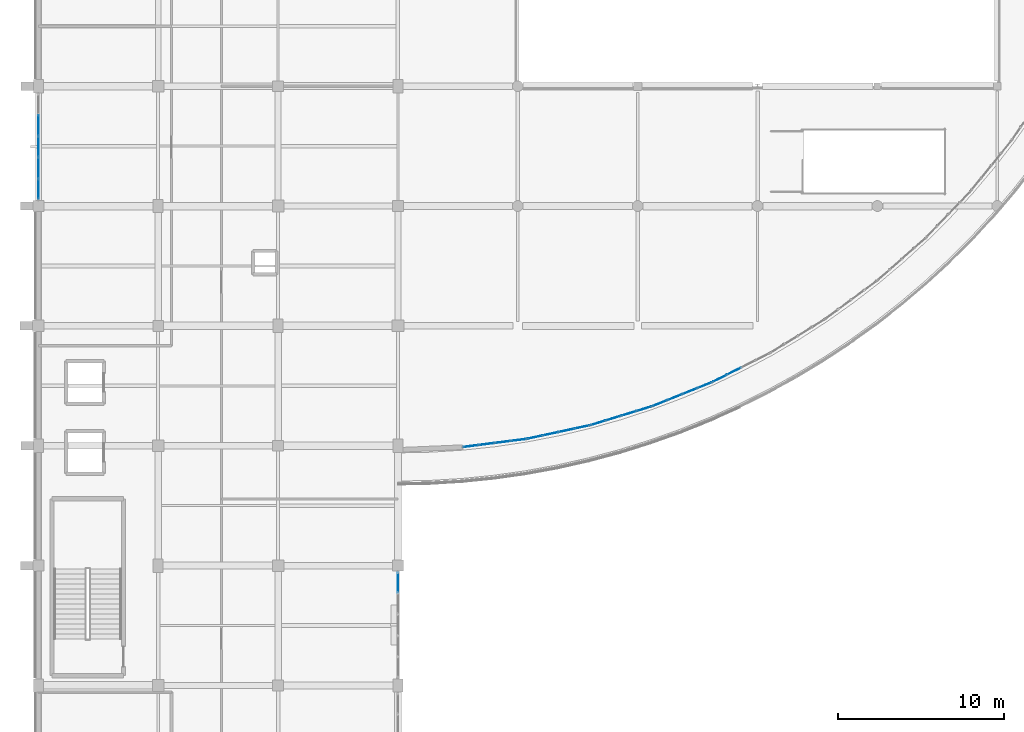
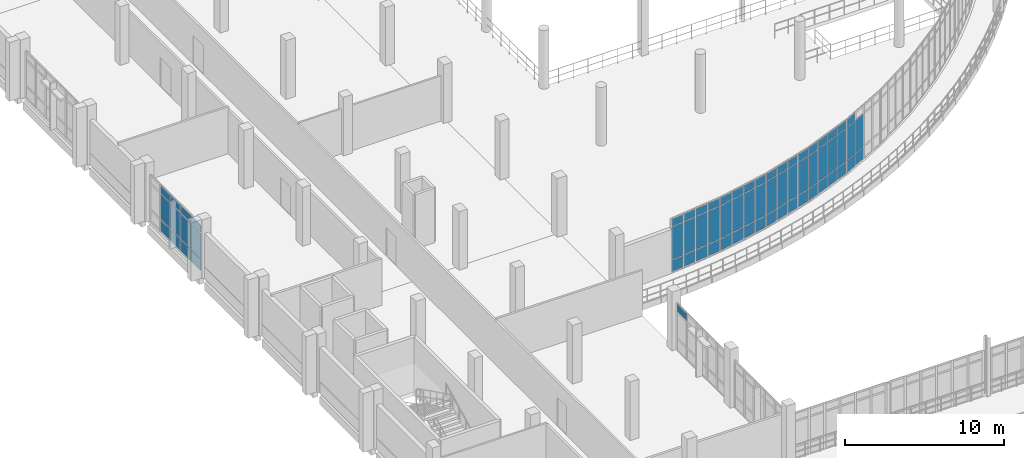
# One storey, part 88 of 116: 66 plates, 7 elements without a shape of their own.
"""IFC4 building model written with IfcOpenShell, lengths in metres."""

from ifc_helpers import new_model, si_unit, direction, frame, origin, origin_2d, place, context, subcontext, project, spatial, rectangle, extrude, material, layer, layer_set, type_object, element, aggregate, save


model = new_model("IFC4")

# Units and contexts
model_context = context("Model", 3, precision=1e-05, world=origin(), true_north=direction((0.0, 1.0)))
body_context = subcontext(model_context, "Body", "Model", "MODEL_VIEW")
ifc_project = project(units=[si_unit("LENGTHUNIT", "METRE"), si_unit("AREAUNIT", "SQUARE_METRE"), si_unit("VOLUMEUNIT", "CUBIC_METRE"), si_unit("PLANEANGLEUNIT", "RADIAN"), si_unit("MASSUNIT", "GRAM", prefix="KILO")], contexts=[model_context])

# Site, building, storey
site_placement = place(None, origin())
site = spatial("IfcSite", under=ifc_project, at=site_placement, CompositionType="ELEMENT")
building_placement = place(site_placement, origin())
building = spatial("IfcBuilding", under=site, at=building_placement, Name="Kalluvel Institute of Natural Sciences", CompositionType="ELEMENT")
storey_placement = place(building_placement, frame((0.0, 0.0, 14.39990234375)))
storey = spatial("IfcBuildingStorey", under=building, at=storey_placement, Name="L03", CompositionType="ELEMENT", Elevation=14.39990234375)

# Curtain wall, plates
ifc_material_1 = material(Name="Aluminium AW-6063 T6", Category="aluminium")
curtain_wall_type_1 = type_object("IfcCurtainWallType", Name="CW-DRY-45", PredefinedType="USERDEFINED", material=ifc_material_1)
curtain_wall_1_placement = place(storey_placement, origin())
curtain_wall_1 = element("IfcCurtainWall", 1, at=curtain_wall_1_placement, inside=storey, type_object=curtain_wall_type_1, Name="L03 Gothic lancet curtain wall CWA-L03-X140-Y720", ObjectType="UNITISED LANCET FACADE", PredefinedType="USERDEFINED")
ifc_material_2 = material(Name="Solar-Control Low-E Laminated Glass", Category="glass")
ifc_layer_1 = layer(ifc_material_2, 0.031982421875)
ifc_layer_set_1 = layer_set([ifc_layer_1], Name="Solar-Control Low-E Laminated Glass")
plate_type_1 = type_object("IfcPlateType", Name="CWP-DGU-32", PredefinedType="CURTAIN_PANEL", material=ifc_layer_set_1)
plate_1_placement = place(storey_placement, frame((14.0, 72.628662109375, 0.065185546875), z_axis=(0.0, 0.0, 1.0), x_axis=(0.0, 1.0, 0.0)))
plate_1 = element("IfcPlate", 2, at=plate_1_placement, type_object=plate_type_1, Name="CW-03 panel 1.1", PredefinedType="CURTAIN_PANEL", context=body_context, shape_type="SweptSolid", body=[
    extrude(rectangle(XDim=1.177490234375, YDim=0.031982421875, at=origin_2d()), origin(), (0.0, 0.0, 1.0), 0.8525390625),
])
plate_2_placement = place(storey_placement, frame((14.0, 72.628662109375, 0.982666015625), z_axis=(0.0, 0.0, 1.0), x_axis=(0.0, 1.0, 0.0)))
plate_2 = element("IfcPlate", 3, at=plate_2_placement, type_object=plate_type_1, Name="CW-03 panel 1.2", PredefinedType="CURTAIN_PANEL", context=body_context, shape_type="SweptSolid", body=[
    extrude(rectangle(XDim=1.177490234375, YDim=0.031982421875, at=origin_2d()), origin(), (0.0, 0.0, 1.0), 1.955078125),
])
plate_3_placement = place(storey_placement, frame((14.0, 72.628662109375, 3.00244140625), z_axis=(0.0, 0.0, 1.0), x_axis=(0.0, 1.0, 0.0)))
plate_3 = element("IfcPlate", 4, at=plate_3_placement, type_object=plate_type_1, Name="CW-03 panel 1.3", PredefinedType="CURTAIN_PANEL", context=body_context, shape_type="SweptSolid", body=[
    extrude(rectangle(XDim=1.177490234375, YDim=0.031982421875, at=origin_2d()), origin(), (0.0, 0.0, 1.0), 0.552490234375),
])
plate_4_placement = place(storey_placement, frame((14.0, 73.887451171875, 0.065185546875), z_axis=(0.0, 0.0, 1.0), x_axis=(0.0, 1.0, 0.0)))
plate_4 = element("IfcPlate", 5, at=plate_4_placement, type_object=plate_type_1, Name="CW-03 panel 2.1", PredefinedType="CURTAIN_PANEL", context=body_context, shape_type="SweptSolid", body=[
    extrude(rectangle(XDim=1.2099609375, YDim=0.031982421875, at=origin_2d()), origin(), (0.0, 0.0, 1.0), 0.8525390625),
])
plate_5_placement = place(storey_placement, frame((14.0, 73.887451171875, 0.982666015625), z_axis=(0.0, 0.0, 1.0), x_axis=(0.0, 1.0, 0.0)))
plate_5 = element("IfcPlate", 6, at=plate_5_placement, type_object=plate_type_1, Name="CW-03 panel 2.2", PredefinedType="CURTAIN_PANEL", context=body_context, shape_type="SweptSolid", body=[
    extrude(rectangle(XDim=1.2099609375, YDim=0.031982421875, at=origin_2d()), origin(), (0.0, 0.0, 1.0), 1.955078125),
])
plate_6_placement = place(storey_placement, frame((14.0, 73.887451171875, 3.00244140625), z_axis=(0.0, 0.0, 1.0), x_axis=(0.0, 1.0, 0.0)))
plate_6 = element("IfcPlate", 7, at=plate_6_placement, type_object=plate_type_1, Name="CW-03 panel 2.3", PredefinedType="CURTAIN_PANEL", context=body_context, shape_type="SweptSolid", body=[
    extrude(rectangle(XDim=1.2099609375, YDim=0.031982421875, at=origin_2d()), origin(), (0.0, 0.0, 1.0), 0.552490234375),
])
plate_7_placement = place(storey_placement, frame((14.0, 75.16259765625, 0.065185546875), z_axis=(0.0, 0.0, 1.0), x_axis=(0.0, 1.0, 0.0)))
plate_7 = element("IfcPlate", 8, at=plate_7_placement, type_object=plate_type_1, Name="CW-03 panel 3.1", PredefinedType="CURTAIN_PANEL", context=body_context, shape_type="SweptSolid", body=[
    extrude(rectangle(XDim=1.2099609375, YDim=0.031982421875, at=origin_2d()), origin(), (0.0, 0.0, 1.0), 0.8525390625),
])
plate_8_placement = place(storey_placement, frame((14.0, 75.16259765625, 0.982666015625), z_axis=(0.0, 0.0, 1.0), x_axis=(0.0, 1.0, 0.0)))
plate_8 = element("IfcPlate", 9, at=plate_8_placement, type_object=plate_type_1, Name="CW-03 panel 3.2", PredefinedType="CURTAIN_PANEL", context=body_context, shape_type="SweptSolid", body=[
    extrude(rectangle(XDim=1.2099609375, YDim=0.031982421875, at=origin_2d()), origin(), (0.0, 0.0, 1.0), 1.955078125),
])
plate_9_placement = place(storey_placement, frame((14.0, 75.16259765625, 3.00244140625), z_axis=(0.0, 0.0, 1.0), x_axis=(0.0, 1.0, 0.0)))
plate_9 = element("IfcPlate", 10, at=plate_9_placement, type_object=plate_type_1, Name="CW-03 panel 3.3", PredefinedType="CURTAIN_PANEL", context=body_context, shape_type="SweptSolid", body=[
    extrude(rectangle(XDim=1.2099609375, YDim=0.031982421875, at=origin_2d()), origin(), (0.0, 0.0, 1.0), 0.552490234375),
])
plate_10_placement = place(storey_placement, frame((14.0, 76.4375, 0.065185546875), z_axis=(0.0, 0.0, 1.0), x_axis=(0.0, 1.0, 0.0)))
plate_10 = element("IfcPlate", 11, at=plate_10_placement, type_object=plate_type_1, Name="CW-03 panel 4.1", PredefinedType="CURTAIN_PANEL", context=body_context, shape_type="SweptSolid", body=[
    extrude(rectangle(XDim=1.2099609375, YDim=0.031982421875, at=origin_2d()), origin(), (0.0, 0.0, 1.0), 0.8525390625),
])
plate_11_placement = place(storey_placement, frame((14.0, 76.4375, 0.982666015625), z_axis=(0.0, 0.0, 1.0), x_axis=(0.0, 1.0, 0.0)))
plate_11 = element("IfcPlate", 12, at=plate_11_placement, type_object=plate_type_1, Name="CW-03 panel 4.2", PredefinedType="CURTAIN_PANEL", context=body_context, shape_type="SweptSolid", body=[
    extrude(rectangle(XDim=1.2099609375, YDim=0.031982421875, at=origin_2d()), origin(), (0.0, 0.0, 1.0), 1.955078125),
])
plate_12_placement = place(storey_placement, frame((14.0, 76.4375, 3.00244140625), z_axis=(0.0, 0.0, 1.0), x_axis=(0.0, 1.0, 0.0)))
plate_12 = element("IfcPlate", 13, at=plate_12_placement, type_object=plate_type_1, Name="CW-03 panel 4.3", PredefinedType="CURTAIN_PANEL", context=body_context, shape_type="SweptSolid", body=[
    extrude(rectangle(XDim=1.2099609375, YDim=0.031982421875, at=origin_2d()), origin(), (0.0, 0.0, 1.0), 0.552490234375),
])
aggregate(curtain_wall_1, [plate_1, plate_2, plate_3, plate_4, plate_5, plate_6, plate_7, plate_8, plate_9, plate_10, plate_11, plate_12])

# Curtain wall, plate
curtain_wall_2_placement = place(storey_placement, origin())
curtain_wall_2 = element("IfcCurtainWall", 14, at=curtain_wall_2_placement, inside=storey, type_object=curtain_wall_type_1, Name="L03 Gothic lancet curtain wall CWA-L03-X356-Y432", ObjectType="UNITISED LANCET FACADE", PredefinedType="USERDEFINED")
plate_13_placement = place(storey_placement, frame((35.60009765625, 48.97119140625, 3.00244140625), z_axis=(0.0, 0.0, 1.0), x_axis=(0.0, 1.0, 0.0)))
plate_13 = element("IfcPlate", 15, at=plate_13_placement, type_object=plate_type_1, Name="CW-03 panel 5.3", PredefinedType="CURTAIN_PANEL", context=body_context, shape_type="SweptSolid", body=[
    extrude(rectangle(XDim=1.177490234375, YDim=0.031982421875, at=origin_2d()), origin(), (0.0, 0.0, 1.0), 0.552490234375),
])
aggregate(curtain_wall_2, [plate_13])

# Curtain wall, plates
curtain_wall_type_2 = type_object("IfcCurtainWallType", Name="CW-ATR-ARC", PredefinedType="USERDEFINED", material=ifc_material_1)
curtain_wall_3_placement = place(storey_placement, origin())
curtain_wall_3 = element("IfcCurtainWall", 16, at=curtain_wall_3_placement, inside=storey, type_object=curtain_wall_type_2, Name="L03 Gothic lancet curtain wall CWA-L03-X395-Y571", ObjectType="UNITISED LANCET FACADE", PredefinedType="USERDEFINED")
ifc_layer_2 = layer(ifc_material_2, 0.035888671875)
ifc_layer_set_2 = layer_set([ifc_layer_2], Name="Solar-Control Low-E Laminated Glass")
plate_type_2 = type_object("IfcPlateType", Name="CWP-DGU-36", PredefinedType="CURTAIN_PANEL", material=ifc_layer_set_2)
plate_14_placement = place(storey_placement, frame((39.98583984375, 57.178955078125, 0.06005859375), z_axis=(0.0, 0.0, 1.0), x_axis=(0.991901430805, 0.127010045141, 0.0)))
plate_14 = element("IfcPlate", 17, at=plate_14_placement, type_object=plate_type_2, Name="CW-05 panel 1.1", PredefinedType="CURTAIN_PANEL", context=body_context, shape_type="SweptSolid", body=[
    extrude(rectangle(XDim=0.883056640625, YDim=0.035888671875, at=origin_2d()), origin(), (0.0, 0.0, 1.0), 0.860107421875),
])
plate_15_placement = place(storey_placement, frame((39.98583984375, 57.178955078125, 0.97998046875), z_axis=(0.0, 0.0, 1.0), x_axis=(0.991901430805, 0.127010045141, 0.0)))
plate_15 = element("IfcPlate", 18, at=plate_15_placement, type_object=plate_type_2, Name="CW-05 panel 1.2", PredefinedType="CURTAIN_PANEL", context=body_context, shape_type="SweptSolid", body=[
    extrude(rectangle(XDim=0.883056640625, YDim=0.035888671875, at=origin_2d()), origin(), (0.0, 0.0, 1.0), 2.489990234375),
])
plate_16_placement = place(storey_placement, frame((39.98583984375, 57.178955078125, 3.530029296875), z_axis=(0.0, 0.0, 1.0), x_axis=(0.991901430805, 0.127010045141, 0.0)))
plate_16 = element("IfcPlate", 19, at=plate_16_placement, type_object=plate_type_2, Name="CW-05 panel 1.3", PredefinedType="CURTAIN_PANEL", context=body_context, shape_type="SweptSolid", body=[
    extrude(rectangle(XDim=0.883056640625, YDim=0.035888671875, at=origin_2d()), origin(), (0.0, 0.0, 1.0), 0.56005859375),
])
plate_17_placement = place(storey_placement, frame((40.93603515625, 57.300537109375, 0.06005859375), z_axis=(0.0, 0.0, 1.0), x_axis=(0.991901430805, 0.127010045141, 0.0)))
plate_17 = element("IfcPlate", 20, at=plate_17_placement, type_object=plate_type_2, Name="CW-05 panel 2.1", PredefinedType="CURTAIN_PANEL", context=body_context, shape_type="SweptSolid", body=[
    extrude(rectangle(XDim=0.912841796875, YDim=0.035888671875, at=origin_2d()), origin(), (0.0, 0.0, 1.0), 0.860107421875),
])
plate_18_placement = place(storey_placement, frame((40.93603515625, 57.300537109375, 0.97998046875), z_axis=(0.0, 0.0, 1.0), x_axis=(0.991901430805, 0.127010045141, 0.0)))
plate_18 = element("IfcPlate", 21, at=plate_18_placement, type_object=plate_type_2, Name="CW-05 panel 2.2", PredefinedType="CURTAIN_PANEL", context=body_context, shape_type="SweptSolid", body=[
    extrude(rectangle(XDim=0.912841796875, YDim=0.035888671875, at=origin_2d()), origin(), (0.0, 0.0, 1.0), 2.489990234375),
])
plate_19_placement = place(storey_placement, frame((40.93603515625, 57.300537109375, 3.530029296875), z_axis=(0.0, 0.0, 1.0), x_axis=(0.991901430805, 0.127010045141, 0.0)))
plate_19 = element("IfcPlate", 22, at=plate_19_placement, type_object=plate_type_2, Name="CW-05 panel 2.3", PredefinedType="CURTAIN_PANEL", context=body_context, shape_type="SweptSolid", body=[
    extrude(rectangle(XDim=0.912841796875, YDim=0.035888671875, at=origin_2d()), origin(), (0.0, 0.0, 1.0), 0.56005859375),
])
plate_20_placement = place(storey_placement, frame((41.901123046875, 57.424072265625, 0.06005859375), z_axis=(0.0, 0.0, 1.0), x_axis=(0.991901430805, 0.127010045141, 0.0)))
plate_20 = element("IfcPlate", 23, at=plate_20_placement, type_object=plate_type_2, Name="CW-05 panel 3.1", PredefinedType="CURTAIN_PANEL", context=body_context, shape_type="SweptSolid", body=[
    extrude(rectangle(XDim=0.912841796875, YDim=0.035888671875, at=origin_2d()), origin(), (0.0, 0.0, 1.0), 0.860107421875),
])
plate_21_placement = place(storey_placement, frame((41.901123046875, 57.424072265625, 0.97998046875), z_axis=(0.0, 0.0, 1.0), x_axis=(0.991901430805, 0.127010045141, 0.0)))
plate_21 = element("IfcPlate", 24, at=plate_21_placement, type_object=plate_type_2, Name="CW-05 panel 3.2", PredefinedType="CURTAIN_PANEL", context=body_context, shape_type="SweptSolid", body=[
    extrude(rectangle(XDim=0.912841796875, YDim=0.035888671875, at=origin_2d()), origin(), (0.0, 0.0, 1.0), 2.489990234375),
])
plate_22_placement = place(storey_placement, frame((41.901123046875, 57.424072265625, 3.530029296875), z_axis=(0.0, 0.0, 1.0), x_axis=(0.991901430805, 0.127010045141, 0.0)))
plate_22 = element("IfcPlate", 25, at=plate_22_placement, type_object=plate_type_2, Name="CW-05 panel 3.3", PredefinedType="CURTAIN_PANEL", context=body_context, shape_type="SweptSolid", body=[
    extrude(rectangle(XDim=0.912841796875, YDim=0.035888671875, at=origin_2d()), origin(), (0.0, 0.0, 1.0), 0.56005859375),
])
plate_23_placement = place(storey_placement, frame((42.851318359375, 57.5458984375, 0.06005859375), z_axis=(0.0, 0.0, 1.0), x_axis=(0.991901430805, 0.127010045141, 0.0)))
plate_23 = element("IfcPlate", 26, at=plate_23_placement, type_object=plate_type_2, Name="CW-05 panel 4.1", PredefinedType="CURTAIN_PANEL", context=body_context, shape_type="SweptSolid", body=[
    extrude(rectangle(XDim=0.883056640625, YDim=0.035888671875, at=origin_2d()), origin(), (0.0, 0.0, 1.0), 0.860107421875),
])
plate_24_placement = place(storey_placement, frame((42.851318359375, 57.5458984375, 0.97998046875), z_axis=(0.0, 0.0, 1.0), x_axis=(0.991901430805, 0.127010045141, 0.0)))
plate_24 = element("IfcPlate", 27, at=plate_24_placement, type_object=plate_type_2, Name="CW-05 panel 4.2", PredefinedType="CURTAIN_PANEL", context=body_context, shape_type="SweptSolid", body=[
    extrude(rectangle(XDim=0.883056640625, YDim=0.035888671875, at=origin_2d()), origin(), (0.0, 0.0, 1.0), 2.489990234375),
])
plate_25_placement = place(storey_placement, frame((42.851318359375, 57.5458984375, 3.530029296875), z_axis=(0.0, 0.0, 1.0), x_axis=(0.991901430805, 0.127010045141, 0.0)))
plate_25 = element("IfcPlate", 28, at=plate_25_placement, type_object=plate_type_2, Name="CW-05 panel 4.3", PredefinedType="CURTAIN_PANEL", context=body_context, shape_type="SweptSolid", body=[
    extrude(rectangle(XDim=0.883056640625, YDim=0.035888671875, at=origin_2d()), origin(), (0.0, 0.0, 1.0), 0.56005859375),
])
aggregate(curtain_wall_3, [plate_14, plate_15, plate_16, plate_17, plate_18, plate_19, plate_20, plate_21, plate_22, plate_23, plate_24, plate_25])

curtain_wall_4_placement = place(storey_placement, origin())
curtain_wall_4 = element("IfcCurtainWall", 29, at=curtain_wall_4_placement, inside=storey, type_object=curtain_wall_type_2, Name="L03 Gothic lancet curtain wall CWA-L03-X433-Y576", ObjectType="UNITISED LANCET FACADE", PredefinedType="USERDEFINED")
plate_26_placement = place(storey_placement, frame((43.8388671875, 57.715087890625, 0.06005859375), z_axis=(0.0, 0.0, 1.0), x_axis=(0.977556957237, 0.210671296949, 0.0)))
plate_26 = element("IfcPlate", 30, at=plate_26_placement, type_object=plate_type_2, Name="CW-05 panel 1.1", PredefinedType="CURTAIN_PANEL", context=body_context, shape_type="SweptSolid", body=[
    extrude(rectangle(XDim=0.883056640625, YDim=0.035888671875, at=origin_2d()), origin(), (0.0, 0.0, 1.0), 0.860107421875),
])
plate_27_placement = place(storey_placement, frame((43.8388671875, 57.715087890625, 0.97998046875), z_axis=(0.0, 0.0, 1.0), x_axis=(0.977556957237, 0.210671296949, 0.0)))
plate_27 = element("IfcPlate", 31, at=plate_27_placement, type_object=plate_type_2, Name="CW-05 panel 1.2", PredefinedType="CURTAIN_PANEL", context=body_context, shape_type="SweptSolid", body=[
    extrude(rectangle(XDim=0.883056640625, YDim=0.035888671875, at=origin_2d()), origin(), (0.0, 0.0, 1.0), 2.489990234375),
])
plate_28_placement = place(storey_placement, frame((43.8388671875, 57.715087890625, 3.530029296875), z_axis=(0.0, 0.0, 1.0), x_axis=(0.977556957237, 0.210671296949, 0.0)))
plate_28 = element("IfcPlate", 32, at=plate_28_placement, type_object=plate_type_2, Name="CW-05 panel 1.3", PredefinedType="CURTAIN_PANEL", context=body_context, shape_type="SweptSolid", body=[
    extrude(rectangle(XDim=0.883056640625, YDim=0.035888671875, at=origin_2d()), origin(), (0.0, 0.0, 1.0), 0.56005859375),
])
plate_29_placement = place(storey_placement, frame((44.775390625, 57.9169921875, 0.06005859375), z_axis=(0.0, 0.0, 1.0), x_axis=(0.977556957237, 0.210671296949, 0.0)))
plate_29 = element("IfcPlate", 33, at=plate_29_placement, type_object=plate_type_2, Name="CW-05 panel 2.1", PredefinedType="CURTAIN_PANEL", context=body_context, shape_type="SweptSolid", body=[
    extrude(rectangle(XDim=0.912841796875, YDim=0.035888671875, at=origin_2d()), origin(), (0.0, 0.0, 1.0), 0.860107421875),
])
plate_30_placement = place(storey_placement, frame((44.775390625, 57.9169921875, 0.97998046875), z_axis=(0.0, 0.0, 1.0), x_axis=(0.977556957237, 0.210671296949, 0.0)))
plate_30 = element("IfcPlate", 34, at=plate_30_placement, type_object=plate_type_2, Name="CW-05 panel 2.2", PredefinedType="CURTAIN_PANEL", context=body_context, shape_type="SweptSolid", body=[
    extrude(rectangle(XDim=0.912841796875, YDim=0.035888671875, at=origin_2d()), origin(), (0.0, 0.0, 1.0), 2.489990234375),
])
plate_31_placement = place(storey_placement, frame((44.775390625, 57.9169921875, 3.530029296875), z_axis=(0.0, 0.0, 1.0), x_axis=(0.977556957237, 0.210671296949, 0.0)))
plate_31 = element("IfcPlate", 35, at=plate_31_placement, type_object=plate_type_2, Name="CW-05 panel 2.3", PredefinedType="CURTAIN_PANEL", context=body_context, shape_type="SweptSolid", body=[
    extrude(rectangle(XDim=0.912841796875, YDim=0.035888671875, at=origin_2d()), origin(), (0.0, 0.0, 1.0), 0.56005859375),
])
plate_32_placement = place(storey_placement, frame((45.7265625, 58.121826171875, 0.06005859375), z_axis=(0.0, 0.0, 1.0), x_axis=(0.977556957237, 0.210671296949, 0.0)))
plate_32 = element("IfcPlate", 36, at=plate_32_placement, type_object=plate_type_2, Name="CW-05 panel 3.1", PredefinedType="CURTAIN_PANEL", context=body_context, shape_type="SweptSolid", body=[
    extrude(rectangle(XDim=0.912841796875, YDim=0.035888671875, at=origin_2d()), origin(), (0.0, 0.0, 1.0), 0.860107421875),
])
plate_33_placement = place(storey_placement, frame((45.7265625, 58.121826171875, 0.97998046875), z_axis=(0.0, 0.0, 1.0), x_axis=(0.977556957237, 0.210671296949, 0.0)))
plate_33 = element("IfcPlate", 37, at=plate_33_placement, type_object=plate_type_2, Name="CW-05 panel 3.2", PredefinedType="CURTAIN_PANEL", context=body_context, shape_type="SweptSolid", body=[
    extrude(rectangle(XDim=0.912841796875, YDim=0.035888671875, at=origin_2d()), origin(), (0.0, 0.0, 1.0), 2.489990234375),
])
plate_34_placement = place(storey_placement, frame((45.7265625, 58.121826171875, 3.530029296875), z_axis=(0.0, 0.0, 1.0), x_axis=(0.977556957237, 0.210671296949, 0.0)))
plate_34 = element("IfcPlate", 38, at=plate_34_placement, type_object=plate_type_2, Name="CW-05 panel 3.3", PredefinedType="CURTAIN_PANEL", context=body_context, shape_type="SweptSolid", body=[
    extrude(rectangle(XDim=0.912841796875, YDim=0.035888671875, at=origin_2d()), origin(), (0.0, 0.0, 1.0), 0.56005859375),
])
plate_35_placement = place(storey_placement, frame((46.6630859375, 58.32373046875, 0.06005859375), z_axis=(0.0, 0.0, 1.0), x_axis=(0.977556957237, 0.210671296949, 0.0)))
plate_35 = element("IfcPlate", 39, at=plate_35_placement, type_object=plate_type_2, Name="CW-05 panel 4.1", PredefinedType="CURTAIN_PANEL", context=body_context, shape_type="SweptSolid", body=[
    extrude(rectangle(XDim=0.883056640625, YDim=0.035888671875, at=origin_2d()), origin(), (0.0, 0.0, 1.0), 0.860107421875),
])
plate_36_placement = place(storey_placement, frame((46.6630859375, 58.32373046875, 0.97998046875), z_axis=(0.0, 0.0, 1.0), x_axis=(0.977556957237, 0.210671296949, 0.0)))
plate_36 = element("IfcPlate", 40, at=plate_36_placement, type_object=plate_type_2, Name="CW-05 panel 4.2", PredefinedType="CURTAIN_PANEL", context=body_context, shape_type="SweptSolid", body=[
    extrude(rectangle(XDim=0.883056640625, YDim=0.035888671875, at=origin_2d()), origin(), (0.0, 0.0, 1.0), 2.489990234375),
])
plate_37_placement = place(storey_placement, frame((46.6630859375, 58.32373046875, 3.530029296875), z_axis=(0.0, 0.0, 1.0), x_axis=(0.977556957237, 0.210671296949, 0.0)))
plate_37 = element("IfcPlate", 41, at=plate_37_placement, type_object=plate_type_2, Name="CW-05 panel 4.3", PredefinedType="CURTAIN_PANEL", context=body_context, shape_type="SweptSolid", body=[
    extrude(rectangle(XDim=0.883056640625, YDim=0.035888671875, at=origin_2d()), origin(), (0.0, 0.0, 1.0), 0.56005859375),
])
aggregate(curtain_wall_4, [plate_26, plate_27, plate_28, plate_29, plate_30, plate_31, plate_32, plate_33, plate_34, plate_35, plate_36, plate_37])

curtain_wall_5_placement = place(storey_placement, origin())
curtain_wall_5 = element("IfcCurtainWall", 42, at=curtain_wall_5_placement, inside=storey, type_object=curtain_wall_type_2, Name="L03 Gothic lancet curtain wall CWA-L03-X472-Y584", ObjectType="UNITISED LANCET FACADE", PredefinedType="USERDEFINED")
plate_38_placement = place(storey_placement, frame((47.6328125, 58.576171875, 0.06005859375), z_axis=(0.0, 0.0, 1.0), x_axis=(0.956162081189, 0.292837966282, 0.0)))
plate_38 = element("IfcPlate", 43, at=plate_38_placement, type_object=plate_type_2, Name="CW-05 panel 1.1", PredefinedType="CURTAIN_PANEL", context=body_context, shape_type="SweptSolid", body=[
    extrude(rectangle(XDim=0.883056640625, YDim=0.035888671875, at=origin_2d()), origin(), (0.0, 0.0, 1.0), 0.860107421875),
])
plate_39_placement = place(storey_placement, frame((47.6328125, 58.576171875, 0.97998046875), z_axis=(0.0, 0.0, 1.0), x_axis=(0.956162081189, 0.292837966282, 0.0)))
plate_39 = element("IfcPlate", 44, at=plate_39_placement, type_object=plate_type_2, Name="CW-05 panel 1.2", PredefinedType="CURTAIN_PANEL", context=body_context, shape_type="SweptSolid", body=[
    extrude(rectangle(XDim=0.883056640625, YDim=0.035888671875, at=origin_2d()), origin(), (0.0, 0.0, 1.0), 2.489990234375),
])
plate_40_placement = place(storey_placement, frame((47.6328125, 58.576171875, 3.530029296875), z_axis=(0.0, 0.0, 1.0), x_axis=(0.956162081189, 0.292837966282, 0.0)))
plate_40 = element("IfcPlate", 45, at=plate_40_placement, type_object=plate_type_2, Name="CW-05 panel 1.3", PredefinedType="CURTAIN_PANEL", context=body_context, shape_type="SweptSolid", body=[
    extrude(rectangle(XDim=0.883056640625, YDim=0.035888671875, at=origin_2d()), origin(), (0.0, 0.0, 1.0), 0.56005859375),
])
plate_41_placement = place(storey_placement, frame((48.548583984375, 58.856689453125, 0.06005859375), z_axis=(0.0, 0.0, 1.0), x_axis=(0.956162081189, 0.292837966282, 0.0)))
plate_41 = element("IfcPlate", 46, at=plate_41_placement, type_object=plate_type_2, Name="CW-05 panel 2.1", PredefinedType="CURTAIN_PANEL", context=body_context, shape_type="SweptSolid", body=[
    extrude(rectangle(XDim=0.9130859375, YDim=0.035888671875, at=origin_2d()), origin(), (0.0, 0.0, 1.0), 0.860107421875),
])
plate_42_placement = place(storey_placement, frame((48.548583984375, 58.856689453125, 0.97998046875), z_axis=(0.0, 0.0, 1.0), x_axis=(0.956162081189, 0.292837966282, 0.0)))
plate_42 = element("IfcPlate", 47, at=plate_42_placement, type_object=plate_type_2, Name="CW-05 panel 2.2", PredefinedType="CURTAIN_PANEL", context=body_context, shape_type="SweptSolid", body=[
    extrude(rectangle(XDim=0.9130859375, YDim=0.035888671875, at=origin_2d()), origin(), (0.0, 0.0, 1.0), 2.489990234375),
])
plate_43_placement = place(storey_placement, frame((48.548583984375, 58.856689453125, 3.530029296875), z_axis=(0.0, 0.0, 1.0), x_axis=(0.956162081189, 0.292837966282, 0.0)))
plate_43 = element("IfcPlate", 48, at=plate_43_placement, type_object=plate_type_2, Name="CW-05 panel 2.3", PredefinedType="CURTAIN_PANEL", context=body_context, shape_type="SweptSolid", body=[
    extrude(rectangle(XDim=0.9130859375, YDim=0.035888671875, at=origin_2d()), origin(), (0.0, 0.0, 1.0), 0.56005859375),
])
plate_44_placement = place(storey_placement, frame((49.47900390625, 59.1416015625, 0.06005859375), z_axis=(0.0, 0.0, 1.0), x_axis=(0.956162081189, 0.292837966282, 0.0)))
plate_44 = element("IfcPlate", 49, at=plate_44_placement, type_object=plate_type_2, Name="CW-05 panel 3.1", PredefinedType="CURTAIN_PANEL", context=body_context, shape_type="SweptSolid", body=[
    extrude(rectangle(XDim=0.9130859375, YDim=0.035888671875, at=origin_2d()), origin(), (0.0, 0.0, 1.0), 0.860107421875),
])
plate_45_placement = place(storey_placement, frame((49.47900390625, 59.1416015625, 0.97998046875), z_axis=(0.0, 0.0, 1.0), x_axis=(0.956162081189, 0.292837966282, 0.0)))
plate_45 = element("IfcPlate", 50, at=plate_45_placement, type_object=plate_type_2, Name="CW-05 panel 3.2", PredefinedType="CURTAIN_PANEL", context=body_context, shape_type="SweptSolid", body=[
    extrude(rectangle(XDim=0.9130859375, YDim=0.035888671875, at=origin_2d()), origin(), (0.0, 0.0, 1.0), 2.489990234375),
])
plate_46_placement = place(storey_placement, frame((49.47900390625, 59.1416015625, 3.530029296875), z_axis=(0.0, 0.0, 1.0), x_axis=(0.956162081189, 0.292837966282, 0.0)))
plate_46 = element("IfcPlate", 51, at=plate_46_placement, type_object=plate_type_2, Name="CW-05 panel 3.3", PredefinedType="CURTAIN_PANEL", context=body_context, shape_type="SweptSolid", body=[
    extrude(rectangle(XDim=0.9130859375, YDim=0.035888671875, at=origin_2d()), origin(), (0.0, 0.0, 1.0), 0.56005859375),
])
plate_47_placement = place(storey_placement, frame((50.39501953125, 59.42236328125, 0.06005859375), z_axis=(0.0, 0.0, 1.0), x_axis=(0.956162081189, 0.292837966282, 0.0)))
plate_47 = element("IfcPlate", 52, at=plate_47_placement, type_object=plate_type_2, Name="CW-05 panel 4.1", PredefinedType="CURTAIN_PANEL", context=body_context, shape_type="SweptSolid", body=[
    extrude(rectangle(XDim=0.883056640625, YDim=0.035888671875, at=origin_2d()), origin(), (0.0, 0.0, 1.0), 0.860107421875),
])
plate_48_placement = place(storey_placement, frame((50.39501953125, 59.42236328125, 0.97998046875), z_axis=(0.0, 0.0, 1.0), x_axis=(0.956162081189, 0.292837966282, 0.0)))
plate_48 = element("IfcPlate", 53, at=plate_48_placement, type_object=plate_type_2, Name="CW-05 panel 4.2", PredefinedType="CURTAIN_PANEL", context=body_context, shape_type="SweptSolid", body=[
    extrude(rectangle(XDim=0.883056640625, YDim=0.035888671875, at=origin_2d()), origin(), (0.0, 0.0, 1.0), 2.489990234375),
])
plate_49_placement = place(storey_placement, frame((50.39501953125, 59.42236328125, 3.530029296875), z_axis=(0.0, 0.0, 1.0), x_axis=(0.956162081189, 0.292837966282, 0.0)))
plate_49 = element("IfcPlate", 54, at=plate_49_placement, type_object=plate_type_2, Name="CW-05 panel 4.3", PredefinedType="CURTAIN_PANEL", context=body_context, shape_type="SweptSolid", body=[
    extrude(rectangle(XDim=0.883056640625, YDim=0.035888671875, at=origin_2d()), origin(), (0.0, 0.0, 1.0), 0.56005859375),
])
aggregate(curtain_wall_5, [plate_38, plate_39, plate_40, plate_41, plate_42, plate_43, plate_44, plate_45, plate_46, plate_47, plate_48, plate_49])

curtain_wall_6_placement = place(storey_placement, origin())
curtain_wall_6 = element("IfcCurtainWall", 55, at=curtain_wall_6_placement, inside=storey, type_object=curtain_wall_type_2, Name="L03 Gothic lancet curtain wall CWA-L03-X509-Y596", ObjectType="UNITISED LANCET FACADE", PredefinedType="USERDEFINED")
plate_50_placement = place(storey_placement, frame((51.33984375, 59.756103515625, 0.06005859375), z_axis=(0.0, 0.0, 1.0), x_axis=(0.927888983708, 0.372856586254, 0.0)))
plate_50 = element("IfcPlate", 56, at=plate_50_placement, type_object=plate_type_2, Name="CW-05 panel 1.1", PredefinedType="CURTAIN_PANEL", context=body_context, shape_type="SweptSolid", body=[
    extrude(rectangle(XDim=0.883056640625, YDim=0.035888671875, at=origin_2d()), origin(), (0.0, 0.0, 1.0), 0.860107421875),
])
plate_51_placement = place(storey_placement, frame((51.33984375, 59.756103515625, 0.97998046875), z_axis=(0.0, 0.0, 1.0), x_axis=(0.927888983708, 0.372856586254, 0.0)))
plate_51 = element("IfcPlate", 57, at=plate_51_placement, type_object=plate_type_2, Name="CW-05 panel 1.2", PredefinedType="CURTAIN_PANEL", context=body_context, shape_type="SweptSolid", body=[
    extrude(rectangle(XDim=0.883056640625, YDim=0.035888671875, at=origin_2d()), origin(), (0.0, 0.0, 1.0), 2.489990234375),
])
plate_52_placement = place(storey_placement, frame((51.33984375, 59.756103515625, 3.530029296875), z_axis=(0.0, 0.0, 1.0), x_axis=(0.927888983708, 0.372856586254, 0.0)))
plate_52 = element("IfcPlate", 58, at=plate_52_placement, type_object=plate_type_2, Name="CW-05 panel 1.3", PredefinedType="CURTAIN_PANEL", context=body_context, shape_type="SweptSolid", body=[
    extrude(rectangle(XDim=0.883056640625, YDim=0.035888671875, at=origin_2d()), origin(), (0.0, 0.0, 1.0), 0.56005859375),
])
plate_53_placement = place(storey_placement, frame((52.228759765625, 60.11328125, 0.06005859375), z_axis=(0.0, 0.0, 1.0), x_axis=(0.927888983708, 0.372856586254, 0.0)))
plate_53 = element("IfcPlate", 59, at=plate_53_placement, type_object=plate_type_2, Name="CW-05 panel 2.1", PredefinedType="CURTAIN_PANEL", context=body_context, shape_type="SweptSolid", body=[
    extrude(rectangle(XDim=0.912841796875, YDim=0.035888671875, at=origin_2d()), origin(), (0.0, 0.0, 1.0), 0.860107421875),
])
plate_54_placement = place(storey_placement, frame((52.228759765625, 60.11328125, 0.97998046875), z_axis=(0.0, 0.0, 1.0), x_axis=(0.927888983708, 0.372856586254, 0.0)))
plate_54 = element("IfcPlate", 60, at=plate_54_placement, type_object=plate_type_2, Name="CW-05 panel 2.2", PredefinedType="CURTAIN_PANEL", context=body_context, shape_type="SweptSolid", body=[
    extrude(rectangle(XDim=0.912841796875, YDim=0.035888671875, at=origin_2d()), origin(), (0.0, 0.0, 1.0), 2.489990234375),
])
plate_55_placement = place(storey_placement, frame((52.228759765625, 60.11328125, 3.530029296875), z_axis=(0.0, 0.0, 1.0), x_axis=(0.927888983708, 0.372856586254, 0.0)))
plate_55 = element("IfcPlate", 61, at=plate_55_placement, type_object=plate_type_2, Name="CW-05 panel 2.3", PredefinedType="CURTAIN_PANEL", context=body_context, shape_type="SweptSolid", body=[
    extrude(rectangle(XDim=0.912841796875, YDim=0.035888671875, at=origin_2d()), origin(), (0.0, 0.0, 1.0), 0.56005859375),
])
plate_56_placement = place(storey_placement, frame((53.131591796875, 60.47607421875, 0.06005859375), z_axis=(0.0, 0.0, 1.0), x_axis=(0.927888983708, 0.372856586254, 0.0)))
plate_56 = element("IfcPlate", 62, at=plate_56_placement, type_object=plate_type_2, Name="CW-05 panel 3.1", PredefinedType="CURTAIN_PANEL", context=body_context, shape_type="SweptSolid", body=[
    extrude(rectangle(XDim=0.912841796875, YDim=0.035888671875, at=origin_2d()), origin(), (0.0, 0.0, 1.0), 0.860107421875),
])
plate_57_placement = place(storey_placement, frame((53.131591796875, 60.47607421875, 0.97998046875), z_axis=(0.0, 0.0, 1.0), x_axis=(0.927888983708, 0.372856586254, 0.0)))
plate_57 = element("IfcPlate", 63, at=plate_57_placement, type_object=plate_type_2, Name="CW-05 panel 3.2", PredefinedType="CURTAIN_PANEL", context=body_context, shape_type="SweptSolid", body=[
    extrude(rectangle(XDim=0.912841796875, YDim=0.035888671875, at=origin_2d()), origin(), (0.0, 0.0, 1.0), 2.489990234375),
])
plate_58_placement = place(storey_placement, frame((53.131591796875, 60.47607421875, 3.530029296875), z_axis=(0.0, 0.0, 1.0), x_axis=(0.927888983708, 0.372856586254, 0.0)))
plate_58 = element("IfcPlate", 64, at=plate_58_placement, type_object=plate_type_2, Name="CW-05 panel 3.3", PredefinedType="CURTAIN_PANEL", context=body_context, shape_type="SweptSolid", body=[
    extrude(rectangle(XDim=0.912841796875, YDim=0.035888671875, at=origin_2d()), origin(), (0.0, 0.0, 1.0), 0.56005859375),
])
plate_59_placement = place(storey_placement, frame((54.020263671875, 60.833251953125, 0.06005859375), z_axis=(0.0, 0.0, 1.0), x_axis=(0.927888983708, 0.372856586254, 0.0)))
plate_59 = element("IfcPlate", 65, at=plate_59_placement, type_object=plate_type_2, Name="CW-05 panel 4.1", PredefinedType="CURTAIN_PANEL", context=body_context, shape_type="SweptSolid", body=[
    extrude(rectangle(XDim=0.883056640625, YDim=0.035888671875, at=origin_2d()), origin(), (0.0, 0.0, 1.0), 0.860107421875),
])
plate_60_placement = place(storey_placement, frame((54.020263671875, 60.833251953125, 0.97998046875), z_axis=(0.0, 0.0, 1.0), x_axis=(0.927888983708, 0.372856586254, 0.0)))
plate_60 = element("IfcPlate", 66, at=plate_60_placement, type_object=plate_type_2, Name="CW-05 panel 4.2", PredefinedType="CURTAIN_PANEL", context=body_context, shape_type="SweptSolid", body=[
    extrude(rectangle(XDim=0.883056640625, YDim=0.035888671875, at=origin_2d()), origin(), (0.0, 0.0, 1.0), 2.489990234375),
])
plate_61_placement = place(storey_placement, frame((54.020263671875, 60.833251953125, 3.530029296875), z_axis=(0.0, 0.0, 1.0), x_axis=(0.927888983708, 0.372856586254, 0.0)))
plate_61 = element("IfcPlate", 67, at=plate_61_placement, type_object=plate_type_2, Name="CW-05 panel 4.3", PredefinedType="CURTAIN_PANEL", context=body_context, shape_type="SweptSolid", body=[
    extrude(rectangle(XDim=0.883056640625, YDim=0.035888671875, at=origin_2d()), origin(), (0.0, 0.0, 1.0), 0.56005859375),
])
aggregate(curtain_wall_6, [plate_50, plate_51, plate_52, plate_53, plate_54, plate_55, plate_56, plate_57, plate_58, plate_59, plate_60, plate_61])

curtain_wall_7_placement = place(storey_placement, origin())
curtain_wall_7 = element("IfcCurtainWall", 68, at=curtain_wall_7_placement, inside=storey, type_object=curtain_wall_type_2, Name="L03 Gothic lancet curtain wall CWA-L03-X545-Y610", ObjectType="UNITISED LANCET FACADE", PredefinedType="USERDEFINED")
plate_62_placement = place(storey_placement, frame((54.93359375, 61.245849609375, 0.06005859375), z_axis=(0.0, 0.0, 1.0), x_axis=(0.892926741655, 0.450201992484, 0.0)))
plate_62 = element("IfcPlate", 69, at=plate_62_placement, type_object=plate_type_2, Name="CW-05 panel 1.1", PredefinedType="CURTAIN_PANEL", context=body_context, shape_type="SweptSolid", body=[
    extrude(rectangle(XDim=0.883056640625, YDim=0.035888671875, at=origin_2d()), origin(), (0.0, 0.0, 1.0), 0.860107421875),
])
plate_63_placement = place(storey_placement, frame((54.93359375, 61.245849609375, 0.97998046875), z_axis=(0.0, 0.0, 1.0), x_axis=(0.892926741655, 0.450201992484, 0.0)))
plate_63 = element("IfcPlate", 70, at=plate_63_placement, type_object=plate_type_2, Name="CW-05 panel 1.2", PredefinedType="CURTAIN_PANEL", context=body_context, shape_type="SweptSolid", body=[
    extrude(rectangle(XDim=0.883056640625, YDim=0.035888671875, at=origin_2d()), origin(), (0.0, 0.0, 1.0), 2.489990234375),
])
plate_64_placement = place(storey_placement, frame((54.93359375, 61.245849609375, 3.530029296875), z_axis=(0.0, 0.0, 1.0), x_axis=(0.892926741655, 0.450201992484, 0.0)))
plate_64 = element("IfcPlate", 71, at=plate_64_placement, type_object=plate_type_2, Name="CW-05 panel 1.3", PredefinedType="CURTAIN_PANEL", context=body_context, shape_type="SweptSolid", body=[
    extrude(rectangle(XDim=0.883056640625, YDim=0.035888671875, at=origin_2d()), origin(), (0.0, 0.0, 1.0), 0.56005859375),
])
plate_65_placement = place(storey_placement, frame((55.788818359375, 61.67724609375, 0.06005859375), z_axis=(0.0, 0.0, 1.0), x_axis=(0.892926741655, 0.450201992484, 0.0)))
plate_65 = element("IfcPlate", 72, at=plate_65_placement, type_object=plate_type_2, Name="CW-05 panel 2.1", PredefinedType="CURTAIN_PANEL", context=body_context, shape_type="SweptSolid", body=[
    extrude(rectangle(XDim=0.912841796875, YDim=0.035888671875, at=origin_2d()), origin(), (0.0, 0.0, 1.0), 0.860107421875),
])
plate_66_placement = place(storey_placement, frame((55.788818359375, 61.67724609375, 0.97998046875), z_axis=(0.0, 0.0, 1.0), x_axis=(0.892926741655, 0.450201992484, 0.0)))
plate_66 = element("IfcPlate", 73, at=plate_66_placement, type_object=plate_type_2, Name="CW-05 panel 2.2", PredefinedType="CURTAIN_PANEL", context=body_context, shape_type="SweptSolid", body=[
    extrude(rectangle(XDim=0.912841796875, YDim=0.035888671875, at=origin_2d()), origin(), (0.0, 0.0, 1.0), 2.489990234375),
])
aggregate(curtain_wall_7, [plate_62, plate_63, plate_64, plate_65, plate_66])

save(model, "model.ifc")
